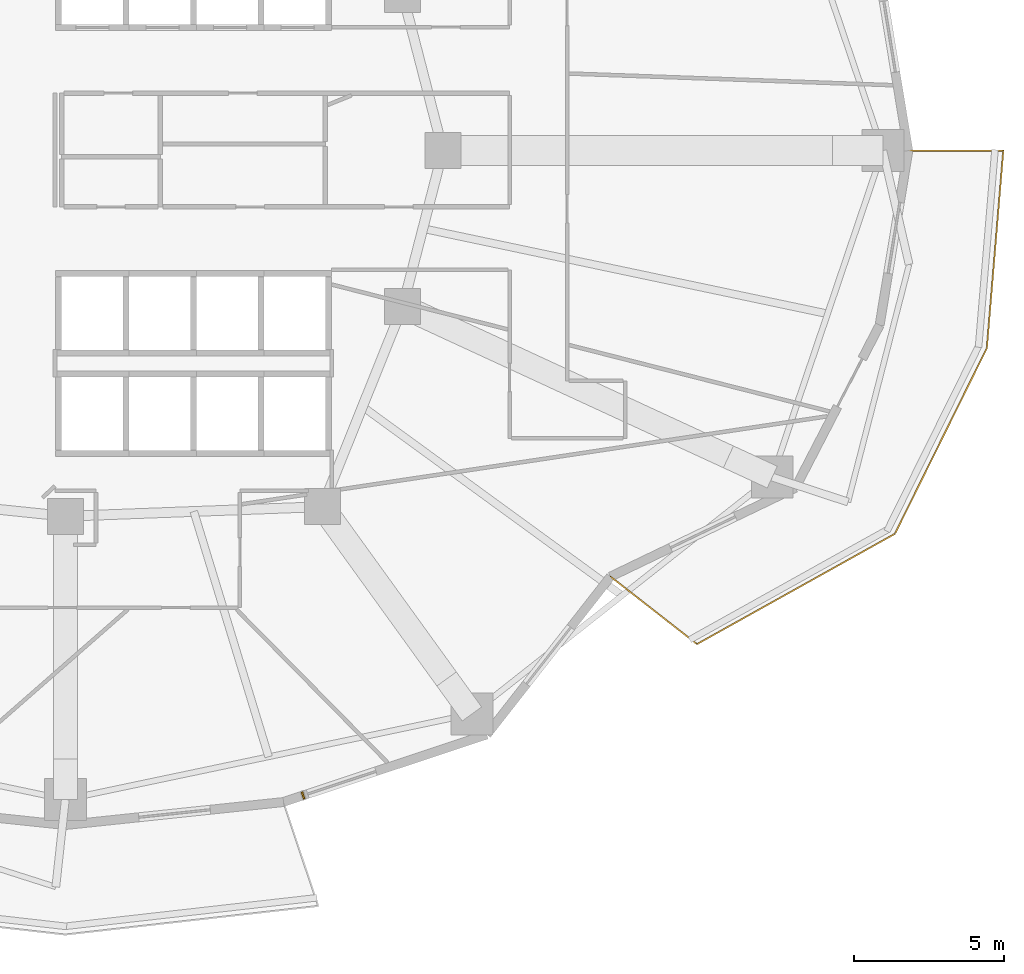
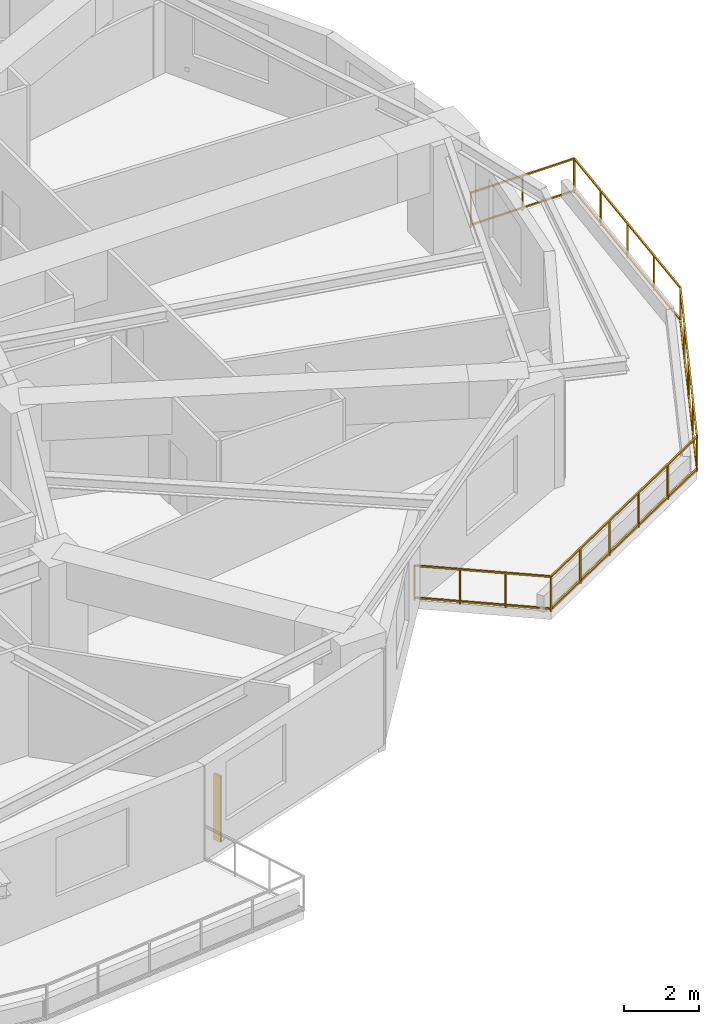
# One storey, part 11 of 13: 1 railing, 1 shading device.
"""IFC4 building model written with IfcOpenShell, lengths in metres."""

from ifc_helpers import new_model, si_unit, direction, frame, origin, origin_2d, place, context, subcontext, project, spatial, rectangle, extrude, material, type_object, element, save


model = new_model("IFC4")

# Units and contexts
model_context = context("Model", 3, precision=1e-05, world=origin(), true_north=direction((0.0, 1.0)))
body_context = subcontext(model_context, "Body", "Model", "MODEL_VIEW")
ifc_project = project(units=[si_unit("LENGTHUNIT", "METRE"), si_unit("AREAUNIT", "SQUARE_METRE"), si_unit("VOLUMEUNIT", "CUBIC_METRE"), si_unit("PLANEANGLEUNIT", "RADIAN"), si_unit("MASSUNIT", "GRAM", prefix="KILO")], contexts=[model_context])

# Site, building, storey
site_placement = place(None, origin())
site = spatial("IfcSite", under=ifc_project, at=site_placement, CompositionType="ELEMENT")
building_placement = place(site_placement, origin())
building = spatial("IfcBuilding", under=site, at=building_placement, Name="Kolvaren Gate Tower and Convention Centre", CompositionType="ELEMENT")
storey_placement = place(building_placement, frame((0.0, 0.0, 49.60009765625)))
storey = spatial("IfcBuildingStorey", under=building, at=storey_placement, Name="L11", CompositionType="ELEMENT", Elevation=49.60009765625)

# Railing
ifc_material_1 = material(Name="Brushed Stainless Steel Grade 316L", Category="steel")
railing_type = type_object("IfcRailingType", Name="ARCH-RL-GUARD-1150", PredefinedType="GUARDRAIL", material=ifc_material_1)
railing_placement = place(storey_placement, frame((48.315185546875, 12.787109375, 0.0)))
element("IfcRailing", 1, at=railing_placement, inside=storey, type_object=railing_type, Name="Tower L11 Terrace Perimeter Guardrail GR-4", PredefinedType="GUARDRAIL", context=body_context, shape_type="SweptSolid", body=[
    extrude(rectangle(XDim=0.048095703125, YDim=0.048095703125, at=origin_2d()), frame((0.022216796875, -0.017333984375, 1.1259765625), z_axis=(0.787988976981, -0.61568934712, 0.0), x_axis=(0.61568934712, 0.787988976981, 0.0)), (0.0, 0.0, 1.0), 3.60400390625),
    extrude(rectangle(XDim=0.048095703125, YDim=0.048095703125, at=origin_2d()), frame((0.022216796875, -0.017333984375, 0.083984375), z_axis=(0.787988976981, -0.61568934712, 0.0), x_axis=(0.61568934712, 0.787988976981, 0.0)), (0.0, 0.0, 1.0), 3.60400390625),
    extrude(rectangle(XDim=0.048095703125, YDim=0.048095703125, at=origin_2d()), frame((2.908447265625, -2.23974609375, 1.1259765625), z_axis=(0.873486390754, 0.486848564923, 0.0), x_axis=(-0.486848564923, 0.873486390754, 0.0)), (0.0, 0.0, 1.0), 7.506103515625),
    extrude(rectangle(XDim=0.048095703125, YDim=0.048095703125, at=origin_2d()), frame((2.908447265625, -2.23974609375, 0.083984375), z_axis=(0.873486390754, 0.486848564923, 0.0), x_axis=(-0.486848564923, 0.873486390754, 0.0)), (0.0, 0.0, 1.0), 7.506103515625),
    extrude(rectangle(XDim=0.048095703125, YDim=0.048095703125, at=origin_2d()), frame((9.501953125, 1.453369140625, 1.1259765625), z_axis=(0.443578479433, 0.8962355341, 0.0), x_axis=(-0.8962355341, 0.443578479433, 0.0)), (0.0, 0.0, 1.0), 6.855224609375),
    extrude(rectangle(XDim=0.048095703125, YDim=0.048095703125, at=origin_2d()), frame((9.501953125, 1.453369140625, 0.083984375), z_axis=(0.443578479433, 0.8962355341, 0.0), x_axis=(-0.8962355341, 0.443578479433, 0.0)), (0.0, 0.0, 1.0), 6.855224609375),
    extrude(rectangle(XDim=0.048095703125, YDim=0.048095703125, at=origin_2d()), frame((12.5576171875, 7.650146484375, 1.1259765625), z_axis=(0.083097416422, 0.996541428835, 0.0), x_axis=(-0.996541428835, 0.083097416422, 0.0)), (0.0, 0.0, 1.0), 6.557373046875),
    extrude(rectangle(XDim=0.048095703125, YDim=0.048095703125, at=origin_2d()), frame((12.5576171875, 7.650146484375, 0.083984375), z_axis=(0.083097416422, 0.996541428835, 0.0), x_axis=(-0.996541428835, 0.083097416422, 0.0)), (0.0, 0.0, 1.0), 6.557373046875),
    extrude(rectangle(XDim=0.048095703125, YDim=0.048095703125, at=origin_2d()), frame((13.07666015625, 14.212890625, 1.1259765625), z_axis=(-1.0, 0.0, 0.0), x_axis=(0.0, -1.0, 0.0)), (0.0, 0.0, 1.0), 3.11376953125),
    extrude(rectangle(XDim=0.048095703125, YDim=0.048095703125, at=origin_2d()), frame((13.07666015625, 14.212890625, 0.083984375), z_axis=(-1.0, 0.0, 0.0), x_axis=(0.0, -1.0, 0.0)), (0.0, 0.0, 1.0), 3.11376953125),
    extrude(rectangle(XDim=0.0419921875, YDim=0.0419921875, at=origin_2d()), origin(), (0.0, 0.0, 1.0), 1.14990234375),
    extrude(rectangle(XDim=0.0419921875, YDim=0.0419921875, at=origin_2d()), frame((2.884033203125, -2.25341796875, 0.0)), (0.0, 0.0, 1.0), 1.14990234375),
    extrude(rectangle(XDim=0.0419921875, YDim=0.0419921875, at=origin_2d()), frame((0.96142578125, -0.751220703125, 0.0)), (0.0, 0.0, 1.0), 1.099853515625),
    extrude(rectangle(XDim=0.0419921875, YDim=0.0419921875, at=origin_2d()), frame((1.922607421875, -1.502197265625, 0.0)), (0.0, 0.0, 1.0), 1.099853515625),
    extrude(rectangle(XDim=0.0419921875, YDim=0.0419921875, at=origin_2d()), frame((9.489501953125, 1.42822265625, 0.0)), (0.0, 0.0, 1.0), 1.14990234375),
    extrude(rectangle(XDim=0.0419921875, YDim=0.0419921875, at=origin_2d()), frame((4.205078125, -1.51708984375, 0.0)), (0.0, 0.0, 1.0), 1.099853515625),
    extrude(rectangle(XDim=0.0419921875, YDim=0.0419921875, at=origin_2d()), frame((5.526123046875, -0.78076171875, 0.0)), (0.0, 0.0, 1.0), 1.099853515625),
    extrude(rectangle(XDim=0.0419921875, YDim=0.0419921875, at=origin_2d()), frame((6.847412109375, -0.04443359375, 0.0)), (0.0, 0.0, 1.0), 1.099853515625),
    extrude(rectangle(XDim=0.0419921875, YDim=0.0419921875, at=origin_2d()), frame((8.16845703125, 0.69189453125, 0.0)), (0.0, 0.0, 1.0), 1.099853515625),
    extrude(rectangle(XDim=0.0419921875, YDim=0.0419921875, at=origin_2d()), frame((12.55517578125, 7.622314453125, 0.0)), (0.0, 0.0, 1.0), 1.14990234375),
    extrude(rectangle(XDim=0.0419921875, YDim=0.0419921875, at=origin_2d()), frame((10.255859375, 2.976806640625, 0.0)), (0.0, 0.0, 1.0), 1.099853515625),
    extrude(rectangle(XDim=0.0419921875, YDim=0.0419921875, at=origin_2d()), frame((11.0224609375, 4.525390625, 0.0)), (0.0, 0.0, 1.0), 1.099853515625),
    extrude(rectangle(XDim=0.0419921875, YDim=0.0419921875, at=origin_2d()), frame((11.788818359375, 6.07373046875, 0.0)), (0.0, 0.0, 1.0), 1.099853515625),
    extrude(rectangle(XDim=0.0419921875, YDim=0.0419921875, at=origin_2d()), frame((13.104736328125, 14.212890625, 0.0)), (0.0, 0.0, 1.0), 1.14990234375),
    extrude(rectangle(XDim=0.0419921875, YDim=0.0419921875, at=origin_2d()), frame((12.692626953125, 9.27001953125, 0.0)), (0.0, 0.0, 1.0), 1.099853515625),
    extrude(rectangle(XDim=0.0419921875, YDim=0.0419921875, at=origin_2d()), frame((12.830078125, 10.91748046875, 0.0)), (0.0, 0.0, 1.0), 1.099853515625),
    extrude(rectangle(XDim=0.0419921875, YDim=0.0419921875, at=origin_2d()), frame((12.96728515625, 12.565185546875, 0.0)), (0.0, 0.0, 1.0), 1.099853515625),
    extrude(rectangle(XDim=0.0419921875, YDim=0.0419921875, at=origin_2d()), frame((9.934814453125, 14.212890625, 0.0)), (0.0, 0.0, 1.0), 1.14990234375),
    extrude(rectangle(XDim=0.0419921875, YDim=0.0419921875, at=origin_2d()), frame((11.519775390625, 14.212890625, 0.0)), (0.0, 0.0, 1.0), 1.099853515625),
])

# Shading device
ifc_material_2 = material(Name="Kiln-Fired Bogota Terracotta Ceramic Louvre Profile", Category="masonry")
shading_device_type = type_object("IfcShadingDeviceType", Name="ARCH-SHD-FIN-180", PredefinedType="JALOUSIE", material=ifc_material_2)
shading_device_placement = place(storey_placement, frame((38.059326171875, 5.483642578125, 0.219970703125), z_axis=(0.0, 0.0, 1.0), x_axis=(0.949242826568, 0.314544203905, 0.0)))
element("IfcShadingDevice", 2, at=shading_device_placement, inside=storey, type_object=shading_device_type, Name="Ceramic Vertical Brise-Soleil Fin FN-L11-19", PredefinedType="JALOUSIE", context=body_context, shape_type="SweptSolid", body=[
    extrude(rectangle(XDim=0.06005859375, YDim=0.239990234375, at=origin_2d()), origin(), (0.0, 0.0, 1.0), 2.14990234375),
])

save(model, "model.ifc")
